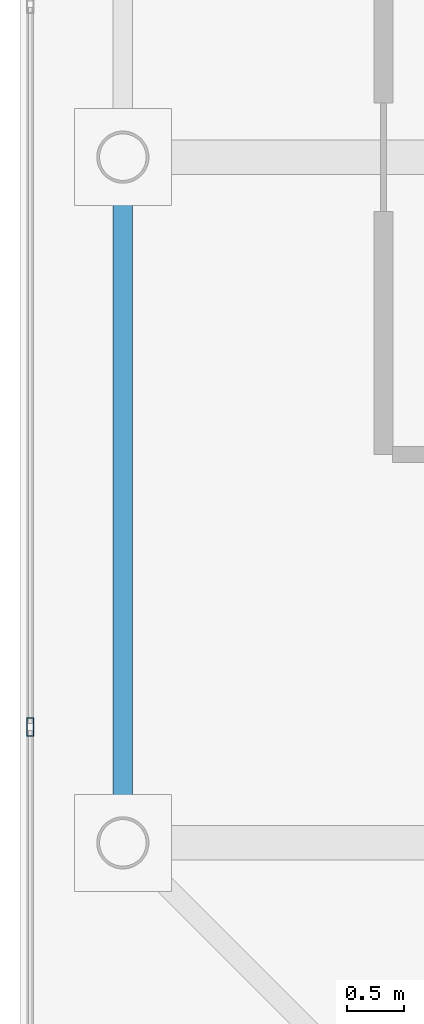
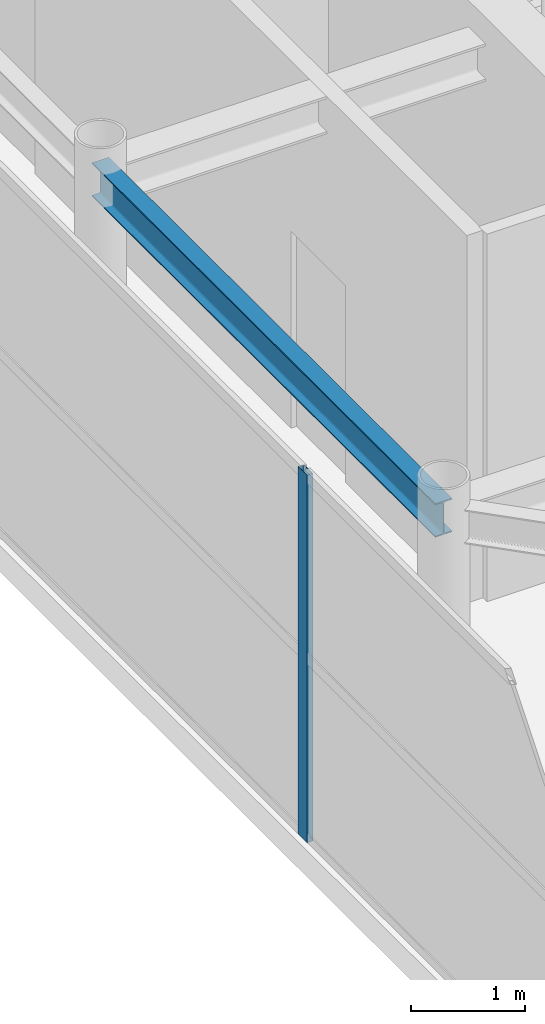
# One storey, part 5 of 32: 1 beam, 1 member, 1 element without a shape of its own.
"""IFC4 building model written with IfcOpenShell, lengths in metres."""

from ifc_helpers import new_model, si_unit, direction, frame, origin, origin_2d, place, context, subcontext, project, spatial, hollow_rectangle, i_section, extrude, source, transform, mapped, material, layer, layer_set, material_profile, profile_set, type_object, element, aggregate, save


model = new_model("IFC4")

# Units and contexts
model_context = context("Model", 3, precision=1e-05, world=origin(), true_north=direction((0.0, 1.0)))
body_context = subcontext(model_context, "Body", "Model", "MODEL_VIEW")
ifc_project = project(units=[si_unit("LENGTHUNIT", "METRE"), si_unit("AREAUNIT", "SQUARE_METRE"), si_unit("VOLUMEUNIT", "CUBIC_METRE"), si_unit("PLANEANGLEUNIT", "RADIAN"), si_unit("MASSUNIT", "GRAM", prefix="KILO")], contexts=[model_context])

# Site, building, storey
site_placement = place(None, origin())
site = spatial("IfcSite", under=ifc_project, at=site_placement, CompositionType="ELEMENT")
building_placement = place(site_placement, origin())
building = spatial("IfcBuilding", under=site, at=building_placement, Name="Khoralis Quay Care Tower", CompositionType="ELEMENT")
storey_placement = place(building_placement, frame((0.0, 0.0, 293.699951171875)))
storey = spatial("IfcBuildingStorey", under=building, at=storey_placement, Name="L77", CompositionType="ELEMENT", Elevation=293.699951171875)

# Beam
ifc_material_1 = material(Name="Steel S355", Category="steel")
ifc_material_profile_1 = material_profile(ifc_material_1, i_section(OverallWidth=0.169921875, OverallDepth=0.360107421875, WebThickness=0.008056640625, FlangeThickness=0.0126953125, FilletRadius=0.01806640625, at=origin_2d()), Name="Steel S355")
ifc_profile_set_1 = profile_set([ifc_material_profile_1], Name="Steel S355")
beam_type = type_object("IfcBeamType", Name="BM-IPE360", PredefinedType="SPANDREL", material=ifc_profile_set_1)
shared_shape_1 = source(origin(), body_context, "Body", "SweptSolid", [
    extrude(i_section(OverallWidth=0.169921875, OverallDepth=0.360107421875, WebThickness=0.008056640625, FlangeThickness=0.0126953125, FilletRadius=0.01806640625, at=origin_2d()), origin(), (0.0, 0.0, 1.0), 6.0),
])
beam_placement = place(storey_placement, frame((3.89990234375, 12.0, 3.739990234375), z_axis=(0.0, 1.0, 0.0), x_axis=(-1.0, 0.0, 0.0)))
element("IfcBeam", 1, at=beam_placement, inside=storey, type_object=beam_type, Name="BM-TSP-L77-09", PredefinedType="SPANDREL", context=body_context, shape_type="MappedRepresentation", body=[
    mapped(shared_shape_1, transform((0.0, 0.0, 0.0), scale=1.0)),
])

# Curtain wall, member
ifc_material_2 = material(Name="Pale anodised aluminium", Category="aluminium")
ifc_layer = layer(ifc_material_2, 0.199951171875)
ifc_layer_set = layer_set([ifc_layer], Name="Pale anodised aluminium")
curtain_wall_type = type_object("IfcCurtainWallType", Name="CW-SYS-LANTERN", PredefinedType="NOTDEFINED", material=ifc_layer_set)
curtain_wall_placement = place(storey_placement, origin())
curtain_wall = element("IfcCurtainWall", 2, at=curtain_wall_placement, inside=storey, type_object=curtain_wall_type, Name="L77 Unitised Curtain Wall CW-LN-L77-16", PredefinedType="NOTDEFINED")
ifc_material_profile_2 = material_profile(ifc_material_2, hollow_rectangle(XDim=0.06005859375, YDim=0.159912109375, WallThickness=0.00390625, at=origin_2d()), Name="Pale anodised aluminium")
ifc_profile_set_2 = profile_set([ifc_material_profile_2], Name="Pale anodised aluminium")
member_type = type_object("IfcMemberType", Name="CW-MUL-160", PredefinedType="MULLION", material=ifc_profile_set_2)
shared_shape_2 = source(origin(), body_context, "Body", "SweptSolid", [
    extrude(hollow_rectangle(XDim=0.06005859375, YDim=0.159912109375, WallThickness=0.00390625, at=origin_2d()), origin(), (0.0, 0.0, 1.0), 3.920166015625),
])
member_placement = place(storey_placement, frame((3.090087890625, 13.013916015625, 0.0), z_axis=(0.0, 0.0, 1.0), x_axis=(1.0, 0.0, 0.0)))
member = element("IfcMember", 3, at=member_placement, type_object=member_type, Name="CW5 mullion 5", PredefinedType="MULLION", context=body_context, shape_type="MappedRepresentation", body=[
    mapped(shared_shape_2, transform((0.0, 0.0, 0.0), scale=1.0)),
])
aggregate(curtain_wall, [member])

save(model, "model.ifc")
